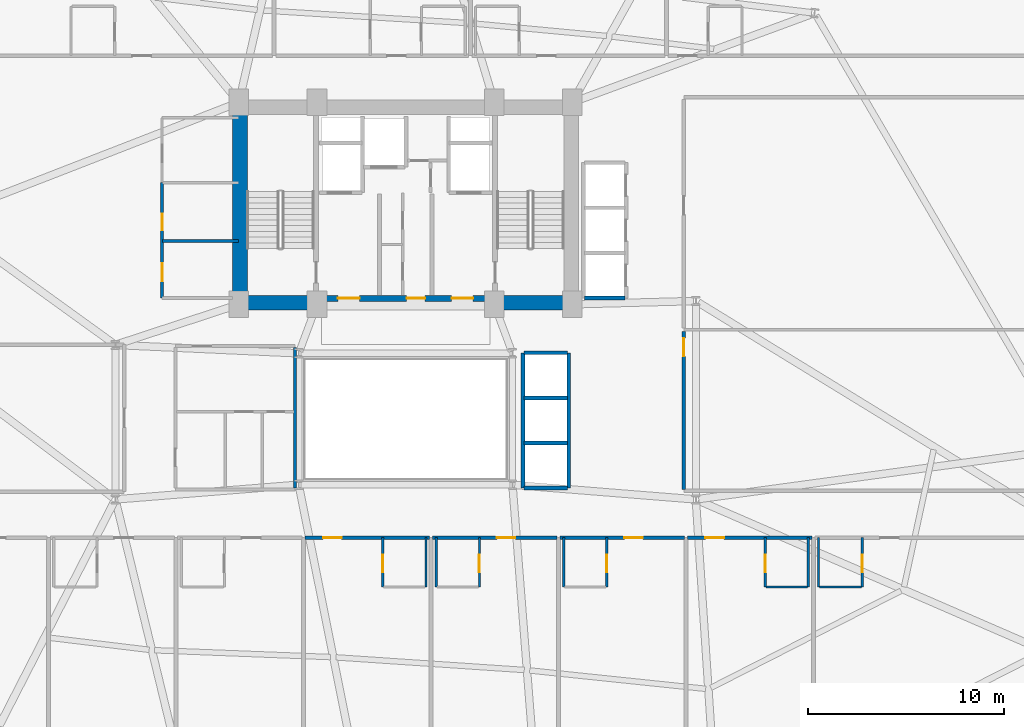
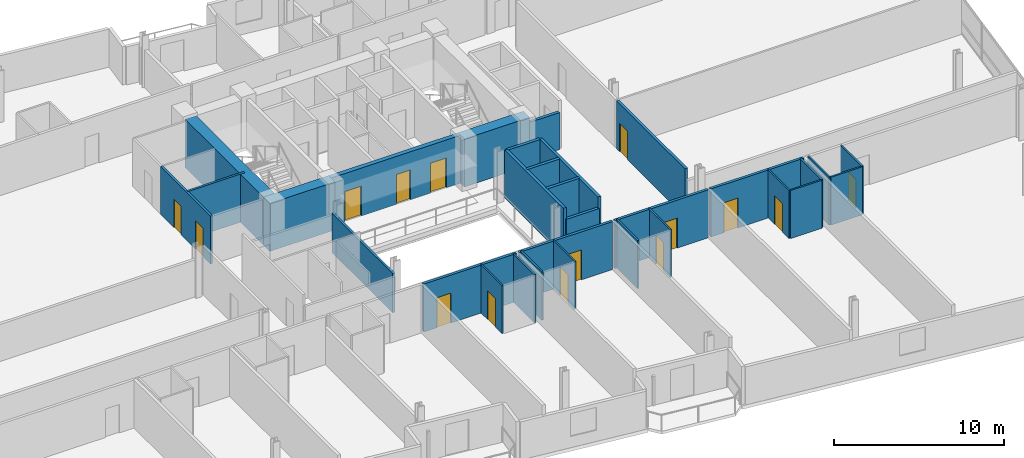
# One storey, part 21 of 26: 31 walls, 15 doors, 15 openings.
"""IFC4 building model written with IfcOpenShell, lengths in metres."""

from ifc_helpers import new_model, si_unit, direction, frame, frame_2d, origin, place, context, subcontext, project, spatial, rectangle, extrude, material, layer, layer_set, type_object, element, fill, save


model = new_model("IFC4")

# Units and contexts
model_context = context("Model", 3, precision=1e-05, world=origin(), true_north=direction((0.0, 1.0)))
body_context = subcontext(model_context, "Body", "Model", "MODEL_VIEW")
ifc_project = project(units=[si_unit("LENGTHUNIT", "METRE"), si_unit("AREAUNIT", "SQUARE_METRE"), si_unit("VOLUMEUNIT", "CUBIC_METRE"), si_unit("PLANEANGLEUNIT", "RADIAN"), si_unit("MASSUNIT", "GRAM", prefix="KILO")], contexts=[model_context])

# Site, building, storey
site_placement = place(None, origin())
site = spatial("IfcSite", under=ifc_project, at=site_placement, CompositionType="ELEMENT")
building_placement = place(site_placement, origin())
building = spatial("IfcBuilding", under=site, at=building_placement, Name="Varnelok Gate Tower", CompositionType="ELEMENT")
storey_placement = place(building_placement, frame((0.0, 0.0, 129.10009765625)))
storey = spatial("IfcBuildingStorey", under=building, at=storey_placement, Name="L32", CompositionType="ELEMENT", Elevation=129.10009765625)

# Wall, opening, door
ifc_material_1 = material(Name="Gypsum Plasterboard Acoustic Partition", Category="gypsum")
ifc_layer_1 = layer(ifc_material_1, 0.179931640625)
ifc_layer_set_1 = layer_set([ifc_layer_1], Name="Gypsum Plasterboard Acoustic Partition")
wall_type_1 = type_object("IfcWallType", Name="PW-CORR-180", PredefinedType="PARTITIONING", material=ifc_layer_set_1)
wall_1_placement = place(storey_placement, frame((34.080078125, 16.85009765625, 0.0), z_axis=(0.0, 0.0, 1.0), x_axis=(1.0, 0.0, 0.0)))
wall_1 = element("IfcWall", 1, at=wall_1_placement, inside=storey, type_object=wall_type_1, Name="Interior Partition", PredefinedType="PARTITIONING", context=body_context, shape_type="SweptSolid", body=[
    extrude(rectangle(XDim=6.33984375, YDim=0.179931640625, at=frame_2d((3.169921875, 0.0))), origin(), (0.0, 0.0, 1.0), 3.449951171875),
])
opening_1_placement = place(wall_1_placement, frame((0.90966796875, 0.0, 0.0)))
opening_1 = element("IfcOpeningElement", 2, at=opening_1_placement, cuts=wall_1, Name="Opening D-HT", PredefinedType="OPENING", context=body_context, shape_type="SweptSolid", body=[
    extrude(rectangle(XDim=0.949951171875, YDim=2.14990234375, at=frame_2d((0.47509765625, 1.074951171875))), frame((0.0, 0.099853515625, 0.0), z_axis=(0.0, -1.0, 0.0), x_axis=(1.0, 0.0, 0.0)), (0.0, 0.0, 1.0), 0.199951171875),
])
ifc_material_2 = material(Name="Engineered Hardwood Timber", Category="wood")
door_type_1 = type_object("IfcDoorType", Name="DR-HTL-950", OperationType="NOTDEFINED", PredefinedType="DOOR", material=ifc_material_2)
door_1_placement = place(opening_1_placement, origin())
door_1 = element("IfcDoor", 3, at=door_1_placement, inside=storey, type_object=door_type_1, Name="L32 Guest Room 05 Entrance Door", OperationType="SINGLE_SWING_RIGHT", OverallHeight=2.14990234375, OverallWidth=0.949951171875, PredefinedType="DOOR", context=body_context, shape_type="SweptSolid", body=[
    extrude(rectangle(XDim=0.949951171875, YDim=2.14990234375, at=frame_2d((0.47509765625, 1.074951171875))), frame((0.0, 0.02490234375, 0.0), z_axis=(0.0, -1.0, 0.0), x_axis=(1.0, 0.0, 0.0)), (0.0, 0.0, 1.0), 0.050048828125),
])
fill(opening_1, door_1)

wall_2_placement = place(storey_placement, frame((40.580078125, 16.85009765625, 0.0), z_axis=(0.0, 0.0, 1.0), x_axis=(1.0, 0.0, 0.0)))
wall_2 = element("IfcWall", 4, at=wall_2_placement, inside=storey, type_object=wall_type_1, Name="Interior Partition", PredefinedType="PARTITIONING", context=body_context, shape_type="SweptSolid", body=[
    extrude(rectangle(XDim=6.33984375, YDim=0.179931640625, at=frame_2d((3.169921875, 0.0))), origin(), (0.0, 0.0, 1.0), 3.449951171875),
])
opening_2_placement = place(wall_2_placement, frame((3.273681640625, 0.0, 0.0)))
opening_2 = element("IfcOpeningElement", 5, at=opening_2_placement, cuts=wall_2, Name="Opening D-HT", PredefinedType="OPENING", context=body_context, shape_type="SweptSolid", body=[
    extrude(rectangle(XDim=0.949951171875, YDim=2.14990234375, at=frame_2d((0.47509765625, 1.074951171875))), frame((0.0, 0.099853515625, 0.0), z_axis=(0.0, -1.0, 0.0), x_axis=(1.0, 0.0, 0.0)), (0.0, 0.0, 1.0), 0.199951171875),
])
door_2_placement = place(opening_2_placement, origin())
door_2 = element("IfcDoor", 6, at=door_2_placement, inside=storey, type_object=door_type_1, Name="L32 Guest Room 06 Entrance Door", OperationType="SINGLE_SWING_LEFT", OverallHeight=2.14990234375, OverallWidth=0.949951171875, PredefinedType="DOOR", context=body_context, shape_type="SweptSolid", body=[
    extrude(rectangle(XDim=0.949951171875, YDim=2.14990234375, at=frame_2d((0.47509765625, 1.074951171875))), frame((0.0, 0.02490234375, 0.0), z_axis=(0.0, -1.0, 0.0), x_axis=(1.0, 0.0, 0.0)), (0.0, 0.0, 1.0), 0.050048828125),
])
fill(opening_2, door_2)

wall_3_placement = place(storey_placement, frame((47.080078125, 16.85009765625, 0.0), z_axis=(0.0, 0.0, 1.0), x_axis=(1.0, 0.0, 0.0)))
wall_3 = element("IfcWall", 7, at=wall_3_placement, inside=storey, type_object=wall_type_1, Name="Interior Partition", PredefinedType="PARTITIONING", context=body_context, shape_type="SweptSolid", body=[
    extrude(rectangle(XDim=6.33984375, YDim=0.179931640625, at=frame_2d((3.169921875, 0.0))), origin(), (0.0, 0.0, 1.0), 3.449951171875),
])
opening_3_placement = place(wall_3_placement, frame((3.273681640625, 0.0, 0.0)))
opening_3 = element("IfcOpeningElement", 8, at=opening_3_placement, cuts=wall_3, Name="Opening D-HT", PredefinedType="OPENING", context=body_context, shape_type="SweptSolid", body=[
    extrude(rectangle(XDim=0.949951171875, YDim=2.14990234375, at=frame_2d((0.47509765625, 1.074951171875))), frame((0.0, 0.099853515625, 0.0), z_axis=(0.0, -1.0, 0.0), x_axis=(1.0, 0.0, 0.0)), (0.0, 0.0, 1.0), 0.199951171875),
])
door_3_placement = place(opening_3_placement, origin())
door_3 = element("IfcDoor", 9, at=door_3_placement, inside=storey, type_object=door_type_1, Name="L32 Guest Room 07 Entrance Door", OperationType="SINGLE_SWING_RIGHT", OverallHeight=2.14990234375, OverallWidth=0.949951171875, PredefinedType="DOOR", context=body_context, shape_type="SweptSolid", body=[
    extrude(rectangle(XDim=0.949951171875, YDim=2.14990234375, at=frame_2d((0.47509765625, 1.074951171875))), frame((0.0, 0.02490234375, 0.0), z_axis=(0.0, -1.0, 0.0), x_axis=(1.0, 0.0, 0.0)), (0.0, 0.0, 1.0), 0.050048828125),
])
fill(opening_3, door_3)

wall_4_placement = place(storey_placement, frame((53.580078125, 16.85009765625, 0.0), z_axis=(0.0, 0.0, 1.0), x_axis=(1.0, 0.0, 0.0)))
wall_4 = element("IfcWall", 10, at=wall_4_placement, inside=storey, type_object=wall_type_1, Name="Interior Partition", PredefinedType="PARTITIONING", context=body_context, shape_type="SweptSolid", body=[
    extrude(rectangle(XDim=6.33984375, YDim=0.179931640625, at=frame_2d((3.169921875, 0.0))), origin(), (0.0, 0.0, 1.0), 3.449951171875),
])
opening_4_placement = place(wall_4_placement, frame((0.90966796875, 0.0, 0.0)))
opening_4 = element("IfcOpeningElement", 11, at=opening_4_placement, cuts=wall_4, Name="Opening D-HT", PredefinedType="OPENING", context=body_context, shape_type="SweptSolid", body=[
    extrude(rectangle(XDim=0.949951171875, YDim=2.14990234375, at=frame_2d((0.47509765625, 1.074951171875))), frame((0.0, 0.099853515625, 0.0), z_axis=(0.0, -1.0, 0.0), x_axis=(1.0, 0.0, 0.0)), (0.0, 0.0, 1.0), 0.199951171875),
])
door_4_placement = place(opening_4_placement, origin())
door_4 = element("IfcDoor", 12, at=door_4_placement, inside=storey, type_object=door_type_1, Name="L32 Guest Room 08 Entrance Door", OperationType="SINGLE_SWING_LEFT", OverallHeight=2.14990234375, OverallWidth=0.949951171875, PredefinedType="DOOR", context=body_context, shape_type="SweptSolid", body=[
    extrude(rectangle(XDim=0.949951171875, YDim=2.14990234375, at=frame_2d((0.47509765625, 1.074951171875))), frame((0.0, 0.02490234375, 0.0), z_axis=(0.0, -1.0, 0.0), x_axis=(1.0, 0.0, 0.0)), (0.0, 0.0, 1.0), 0.050048828125),
])
fill(opening_4, door_4)

wall_5_placement = place(storey_placement, frame((53.389892578125, 19.300048828125, 0.0), z_axis=(0.0, 0.0, 1.0), x_axis=(0.0, 1.0, 0.0)))
wall_5 = element("IfcWall", 13, at=wall_5_placement, inside=storey, type_object=wall_type_1, Name="Interior Partition", PredefinedType="PARTITIONING", context=body_context, shape_type="SweptSolid", body=[
    extrude(rectangle(XDim=8.070068359375, YDim=0.179931640625, at=frame_2d((4.03515625, 0.0))), origin(), (0.0, 0.0, 1.0), 3.449951171875),
])
opening_5_placement = place(wall_5_placement, frame((6.800048828125, 0.0, 0.0)))
opening_5 = element("IfcOpeningElement", 14, at=opening_5_placement, cuts=wall_5, Name="Opening D-I3", PredefinedType="OPENING", context=body_context, shape_type="SweptSolid", body=[
    extrude(rectangle(XDim=0.919921875, YDim=2.050048828125, at=frame_2d((0.4599609375, 1.02490234375))), frame((0.0, 0.099853515625, 0.0), z_axis=(0.0, -1.0, 0.0), x_axis=(1.0, 0.0, 0.0)), (0.0, 0.0, 1.0), 0.199951171875),
])
door_type_2 = type_object("IfcDoorType", Name="DR-INT-920", OperationType="NOTDEFINED", PredefinedType="DOOR", material=ifc_material_2)
door_5_placement = place(opening_5_placement, origin())
door_5 = element("IfcDoor", 15, at=door_5_placement, inside=storey, type_object=door_type_2, Name="L32 East Suite 1 Door", OperationType="SINGLE_SWING_LEFT", OverallHeight=2.050048828125, OverallWidth=0.919921875, PredefinedType="DOOR", context=body_context, shape_type="SweptSolid", body=[
    extrude(rectangle(XDim=0.919921875, YDim=2.050048828125, at=frame_2d((0.4599609375, 1.02490234375))), frame((0.0, 0.02490234375, 0.0), z_axis=(0.0, -1.0, 0.0), x_axis=(1.0, 0.0, 0.0)), (0.0, 0.0, 1.0), 0.050048828125),
])
fill(opening_5, door_5)

ifc_layer_2 = layer(ifc_material_1, 0.114990234375)
ifc_layer_set_2 = layer_set([ifc_layer_2], Name="Gypsum Plasterboard Acoustic Partition")
wall_type_2 = type_object("IfcWallType", Name="PW-ENS-125", PredefinedType="PARTITIONING", material=ifc_layer_set_2)
wall_6_placement = place(storey_placement, frame((38.035888671875, 14.330078125, 0.0), z_axis=(0.0, 0.0, 1.0), x_axis=(0.0, 1.0, 0.0)))
wall_6 = element("IfcWall", 16, at=wall_6_placement, inside=storey, type_object=wall_type_2, Name="Interior Partition", PredefinedType="PARTITIONING", context=body_context, shape_type="SweptSolid", body=[
    extrude(rectangle(XDim=2.52001953125, YDim=0.114990234375, at=frame_2d((1.260009765625, 0.0))), origin(), (0.0, 0.0, 1.0), 3.449951171875),
])
opening_6_placement = place(wall_6_placement, frame((0.760009765625, 0.0, 0.0)))
opening_6 = element("IfcOpeningElement", 17, at=opening_6_placement, cuts=wall_6, Name="Opening D-WC", PredefinedType="OPENING", context=body_context, shape_type="SweptSolid", body=[
    extrude(rectangle(XDim=0.89990234375, YDim=2.050048828125, at=frame_2d((0.449951171875, 1.02490234375))), frame((0.0, 0.0673828125, 0.0), z_axis=(0.0, -1.0, 0.0), x_axis=(1.0, 0.0, 0.0)), (0.0, 0.0, 1.0), 0.135009765625),
])
door_type_3 = type_object("IfcDoorType", Name="DR-BATH-900", OperationType="NOTDEFINED", PredefinedType="DOOR", material=ifc_material_2)
door_6_placement = place(opening_6_placement, origin())
door_6 = element("IfcDoor", 18, at=door_6_placement, inside=storey, type_object=door_type_3, Name="L32 Guest En-Suite 05 Door", OperationType="SINGLE_SWING_RIGHT", OverallHeight=2.050048828125, OverallWidth=0.89990234375, PredefinedType="DOOR", context=body_context, shape_type="SweptSolid", body=[
    extrude(rectangle(XDim=0.89990234375, YDim=2.050048828125, at=frame_2d((0.449951171875, 1.02490234375))), frame((0.0, 0.02490234375, 0.0), z_axis=(0.0, -1.0, 0.0), x_axis=(1.0, 0.0, 0.0)), (0.0, 0.0, 1.0), 0.050048828125),
])
fill(opening_6, door_6)

# Wall
wall_7_placement = place(storey_placement, frame((40.239990234375, 14.330078125, 0.0), z_axis=(0.0, 0.0, 1.0), x_axis=(0.0, 1.0, 0.0)))
element("IfcWall", 19, at=wall_7_placement, inside=storey, type_object=wall_type_2, Name="Interior Partition", PredefinedType="PARTITIONING", context=body_context, shape_type="SweptSolid", body=[
    extrude(rectangle(XDim=2.52001953125, YDim=0.114990234375, at=frame_2d((1.260009765625, 0.0))), origin(), (0.0, 0.0, 1.0), 3.449951171875),
])

# Wall, opening, door
wall_8_placement = place(storey_placement, frame((42.964111328125, 14.330078125, 0.0), z_axis=(0.0, 0.0, 1.0), x_axis=(0.0, 1.0, 0.0)))
wall_8 = element("IfcWall", 20, at=wall_8_placement, inside=storey, type_object=wall_type_2, Name="Interior Partition", PredefinedType="PARTITIONING", context=body_context, shape_type="SweptSolid", body=[
    extrude(rectangle(XDim=2.52001953125, YDim=0.114990234375, at=frame_2d((1.260009765625, 0.0))), origin(), (0.0, 0.0, 1.0), 3.449951171875),
])
opening_7_placement = place(wall_8_placement, frame((0.760009765625, 0.0, 0.0)))
opening_7 = element("IfcOpeningElement", 21, at=opening_7_placement, cuts=wall_8, Name="Opening D-WC", PredefinedType="OPENING", context=body_context, shape_type="SweptSolid", body=[
    extrude(rectangle(XDim=0.89990234375, YDim=2.050048828125, at=frame_2d((0.449951171875, 1.02490234375))), frame((0.0, 0.0673828125, 0.0), z_axis=(0.0, -1.0, 0.0), x_axis=(1.0, 0.0, 0.0)), (0.0, 0.0, 1.0), 0.135009765625),
])
door_7_placement = place(opening_7_placement, origin())
door_7 = element("IfcDoor", 22, at=door_7_placement, inside=storey, type_object=door_type_3, Name="L32 Guest En-Suite 06 Door", OperationType="SINGLE_SWING_LEFT", OverallHeight=2.050048828125, OverallWidth=0.89990234375, PredefinedType="DOOR", context=body_context, shape_type="SweptSolid", body=[
    extrude(rectangle(XDim=0.89990234375, YDim=2.050048828125, at=frame_2d((0.449951171875, 1.02490234375))), frame((0.0, 0.02490234375, 0.0), z_axis=(0.0, -1.0, 0.0), x_axis=(1.0, 0.0, 0.0)), (0.0, 0.0, 1.0), 0.050048828125),
])
fill(opening_7, door_7)

# Wall
wall_9_placement = place(storey_placement, frame((40.760009765625, 14.330078125, 0.0), z_axis=(0.0, 0.0, 1.0), x_axis=(0.0, 1.0, 0.0)))
element("IfcWall", 23, at=wall_9_placement, inside=storey, type_object=wall_type_2, Name="Interior Partition", PredefinedType="PARTITIONING", context=body_context, shape_type="SweptSolid", body=[
    extrude(rectangle(XDim=2.52001953125, YDim=0.114990234375, at=frame_2d((1.260009765625, 0.0))), origin(), (0.0, 0.0, 1.0), 3.449951171875),
])

# Wall, opening, door
wall_10_placement = place(storey_placement, frame((49.464111328125, 14.330078125, 0.0), z_axis=(0.0, 0.0, 1.0), x_axis=(0.0, 1.0, 0.0)))
wall_10 = element("IfcWall", 24, at=wall_10_placement, inside=storey, type_object=wall_type_2, Name="Interior Partition", PredefinedType="PARTITIONING", context=body_context, shape_type="SweptSolid", body=[
    extrude(rectangle(XDim=2.52001953125, YDim=0.114990234375, at=frame_2d((1.260009765625, 0.0))), origin(), (0.0, 0.0, 1.0), 3.449951171875),
])
opening_8_placement = place(wall_10_placement, frame((0.760009765625, 0.0, 0.0)))
opening_8 = element("IfcOpeningElement", 25, at=opening_8_placement, cuts=wall_10, Name="Opening D-WC", PredefinedType="OPENING", context=body_context, shape_type="SweptSolid", body=[
    extrude(rectangle(XDim=0.89990234375, YDim=2.050048828125, at=frame_2d((0.449951171875, 1.02490234375))), frame((0.0, 0.0673828125, 0.0), z_axis=(0.0, -1.0, 0.0), x_axis=(1.0, 0.0, 0.0)), (0.0, 0.0, 1.0), 0.135009765625),
])
door_8_placement = place(opening_8_placement, origin())
door_8 = element("IfcDoor", 26, at=door_8_placement, inside=storey, type_object=door_type_3, Name="L32 Guest En-Suite 07 Door", OperationType="SINGLE_SWING_LEFT", OverallHeight=2.050048828125, OverallWidth=0.89990234375, PredefinedType="DOOR", context=body_context, shape_type="SweptSolid", body=[
    extrude(rectangle(XDim=0.89990234375, YDim=2.050048828125, at=frame_2d((0.449951171875, 1.02490234375))), frame((0.0, 0.02490234375, 0.0), z_axis=(0.0, -1.0, 0.0), x_axis=(1.0, 0.0, 0.0)), (0.0, 0.0, 1.0), 0.050048828125),
])
fill(opening_8, door_8)

# Walls
wall_11_placement = place(storey_placement, frame((47.260009765625, 14.330078125, 0.0), z_axis=(0.0, 0.0, 1.0), x_axis=(0.0, 1.0, 0.0)))
element("IfcWall", 27, at=wall_11_placement, inside=storey, type_object=wall_type_2, Name="Interior Partition", PredefinedType="PARTITIONING", context=body_context, shape_type="SweptSolid", body=[
    extrude(rectangle(XDim=2.52001953125, YDim=0.114990234375, at=frame_2d((1.260009765625, 0.0))), origin(), (0.0, 0.0, 1.0), 3.449951171875),
])
wall_12_placement = place(storey_placement, frame((57.575927734375, 14.330078125, 0.0), z_axis=(0.0, 0.0, 1.0), x_axis=(1.0, 0.0, 0.0)))
element("IfcWall", 28, at=wall_12_placement, inside=storey, type_object=wall_type_2, Name="Interior Partition", PredefinedType="PARTITIONING", context=body_context, shape_type="SweptSolid", body=[
    extrude(rectangle(XDim=2.1240234375, YDim=0.114990234375, at=frame_2d((1.06201171875, 0.0))), origin(), (0.0, 0.0, 1.0), 3.449951171875),
])

# Wall, opening, door
wall_13_placement = place(storey_placement, frame((57.535888671875, 14.330078125, 0.0), z_axis=(0.0, 0.0, 1.0), x_axis=(0.0, 1.0, 0.0)))
wall_13 = element("IfcWall", 29, at=wall_13_placement, inside=storey, type_object=wall_type_2, Name="Interior Partition", PredefinedType="PARTITIONING", context=body_context, shape_type="SweptSolid", body=[
    extrude(rectangle(XDim=2.52001953125, YDim=0.114990234375, at=frame_2d((1.260009765625, 0.0))), origin(), (0.0, 0.0, 1.0), 3.449951171875),
])
opening_9_placement = place(wall_13_placement, frame((0.760009765625, 0.0, 0.0)))
opening_9 = element("IfcOpeningElement", 30, at=opening_9_placement, cuts=wall_13, Name="Opening D-WC", PredefinedType="OPENING", context=body_context, shape_type="SweptSolid", body=[
    extrude(rectangle(XDim=0.89990234375, YDim=2.050048828125, at=frame_2d((0.449951171875, 1.02490234375))), frame((0.0, 0.0673828125, 0.0), z_axis=(0.0, -1.0, 0.0), x_axis=(1.0, 0.0, 0.0)), (0.0, 0.0, 1.0), 0.135009765625),
])
door_9_placement = place(opening_9_placement, origin())
door_9 = element("IfcDoor", 31, at=door_9_placement, inside=storey, type_object=door_type_3, Name="L32 Guest En-Suite 08 Door", OperationType="SINGLE_SWING_RIGHT", OverallHeight=2.050048828125, OverallWidth=0.89990234375, PredefinedType="DOOR", context=body_context, shape_type="SweptSolid", body=[
    extrude(rectangle(XDim=0.89990234375, YDim=2.050048828125, at=frame_2d((0.449951171875, 1.02490234375))), frame((0.0, 0.02490234375, 0.0), z_axis=(0.0, -1.0, 0.0), x_axis=(1.0, 0.0, 0.0)), (0.0, 0.0, 1.0), 0.050048828125),
])
fill(opening_9, door_9)

# Walls
wall_14_placement = place(storey_placement, frame((59.739990234375, 14.330078125, 0.0), z_axis=(0.0, 0.0, 1.0), x_axis=(0.0, 1.0, 0.0)))
element("IfcWall", 32, at=wall_14_placement, inside=storey, type_object=wall_type_2, Name="Interior Partition", PredefinedType="PARTITIONING", context=body_context, shape_type="SweptSolid", body=[
    extrude(rectangle(XDim=2.52001953125, YDim=0.114990234375, at=frame_2d((1.260009765625, 0.0))), origin(), (0.0, 0.0, 1.0), 3.449951171875),
])
wall_15_placement = place(storey_placement, frame((60.300048828125, 14.330078125, 0.0), z_axis=(0.0, 0.0, 1.0), x_axis=(1.0, 0.0, 0.0)))
element("IfcWall", 33, at=wall_15_placement, inside=storey, type_object=wall_type_2, Name="Interior Partition", PredefinedType="PARTITIONING", context=body_context, shape_type="SweptSolid", body=[
    extrude(rectangle(XDim=2.14990234375, YDim=0.114990234375, at=frame_2d((1.074951171875, 0.0))), origin(), (0.0, 0.0, 1.0), 3.449951171875),
])

# Wall, opening, door
wall_16_placement = place(storey_placement, frame((62.489990234375, 14.330078125, 0.0), z_axis=(0.0, 0.0, 1.0), x_axis=(0.0, 1.0, 0.0)))
wall_16 = element("IfcWall", 34, at=wall_16_placement, inside=storey, type_object=wall_type_2, Name="Interior Partition", PredefinedType="PARTITIONING", context=body_context, shape_type="SweptSolid", body=[
    extrude(rectangle(XDim=2.52001953125, YDim=0.114990234375, at=frame_2d((1.260009765625, 0.0))), origin(), (0.0, 0.0, 1.0), 3.449951171875),
])
opening_10_placement = place(wall_16_placement, frame((0.760009765625, 0.0, 0.0)))
opening_10 = element("IfcOpeningElement", 35, at=opening_10_placement, cuts=wall_16, Name="Opening D-WC", PredefinedType="OPENING", context=body_context, shape_type="SweptSolid", body=[
    extrude(rectangle(XDim=0.89990234375, YDim=2.050048828125, at=frame_2d((0.449951171875, 1.02490234375))), frame((0.0, 0.0673828125, 0.0), z_axis=(0.0, -1.0, 0.0), x_axis=(1.0, 0.0, 0.0)), (0.0, 0.0, 1.0), 0.135009765625),
])
door_10_placement = place(opening_10_placement, origin())
door_10 = element("IfcDoor", 36, at=door_10_placement, inside=storey, type_object=door_type_3, Name="L32 Guest En-Suite 09 Door", OperationType="SINGLE_SWING_LEFT", OverallHeight=2.050048828125, OverallWidth=0.89990234375, PredefinedType="DOOR", context=body_context, shape_type="SweptSolid", body=[
    extrude(rectangle(XDim=0.89990234375, YDim=2.050048828125, at=frame_2d((0.449951171875, 1.02490234375))), frame((0.0, 0.02490234375, 0.0), z_axis=(0.0, -1.0, 0.0), x_axis=(1.0, 0.0, 0.0)), (0.0, 0.0, 1.0), 0.050048828125),
])
fill(opening_10, door_10)

# Walls
wall_17_placement = place(storey_placement, frame((60.260009765625, 14.330078125, 0.0), z_axis=(0.0, 0.0, 1.0), x_axis=(0.0, 1.0, 0.0)))
element("IfcWall", 37, at=wall_17_placement, inside=storey, type_object=wall_type_2, Name="Interior Partition", PredefinedType="PARTITIONING", context=body_context, shape_type="SweptSolid", body=[
    extrude(rectangle(XDim=2.52001953125, YDim=0.114990234375, at=frame_2d((1.260009765625, 0.0))), origin(), (0.0, 0.0, 1.0), 3.449951171875),
])
ifc_layer_3 = layer(ifc_material_1, 0.14990234375)
ifc_layer_set_3 = layer_set([ifc_layer_3], Name="Gypsum Plasterboard Acoustic Partition")
wall_type_3 = type_object("IfcWallType", Name="PW-PART-150", PredefinedType="PARTITIONING", material=ifc_layer_set_3)
wall_18_placement = place(storey_placement, frame((33.56005859375, 19.3798828125, 0.0), z_axis=(0.0, 0.0, 1.0), x_axis=(0.0, 1.0, 0.0)))
element("IfcWall", 38, at=wall_18_placement, inside=storey, type_object=wall_type_3, Name="Interior Partition", PredefinedType="PARTITIONING", context=body_context, shape_type="SweptSolid", body=[
    extrude(rectangle(XDim=7.16015625, YDim=0.14990234375, at=frame_2d((3.580078125, 0.0))), origin(), (0.0, 0.0, 1.0), 2.823974609375),
])
wall_19_placement = place(storey_placement, frame((26.800048828125, 31.989990234375, 0.0), z_axis=(0.0, 0.0, 1.0), x_axis=(1.0, 0.0, 0.0)))
element("IfcWall", 39, at=wall_19_placement, inside=storey, type_object=wall_type_3, Name="Interior Partition", PredefinedType="PARTITIONING", context=body_context, shape_type="SweptSolid", body=[
    extrude(rectangle(XDim=3.8798828125, YDim=0.14990234375, at=frame_2d((1.93994140625, 0.0))), origin(), (0.0, 0.0, 1.0), 3.449951171875),
])

# Wall, openings, doors
wall_20_placement = place(storey_placement, frame((26.780029296875, 29.080078125, 0.0), z_axis=(0.0, 0.0, 1.0), x_axis=(0.0, 1.0, 0.0)))
wall_20 = element("IfcWall", 40, at=wall_20_placement, inside=storey, type_object=wall_type_3, Name="Interior Partition", PredefinedType="PARTITIONING", context=body_context, shape_type="SweptSolid", body=[
    extrude(rectangle(XDim=5.869873046875, YDim=0.14990234375, at=frame_2d((2.93505859375, 0.0))), origin(), (0.0, 0.0, 1.0), 3.449951171875),
])
opening_11_placement = place(wall_20_placement, frame((0.85009765625, 0.0, 0.0)))
opening_11 = element("IfcOpeningElement", 41, at=opening_11_placement, cuts=wall_20, Name="Opening D-I3", PredefinedType="OPENING", context=body_context, shape_type="SweptSolid", body=[
    extrude(rectangle(XDim=0.919921875, YDim=2.050048828125, at=frame_2d((0.4599609375, 1.02490234375))), frame((0.0, 0.0849609375, 0.0), z_axis=(0.0, -1.0, 0.0), x_axis=(1.0, 0.0, 0.0)), (0.0, 0.0, 1.0), 0.169921875),
])
opening_12_placement = place(wall_20_placement, frame((3.449951171875, 0.0, 0.0)))
opening_12 = element("IfcOpeningElement", 42, at=opening_12_placement, cuts=wall_20, Name="Opening D-RS", PredefinedType="OPENING", context=body_context, shape_type="SweptSolid", body=[
    extrude(rectangle(XDim=0.85009765625, YDim=2.050048828125, at=frame_2d((0.425048828125, 1.02490234375))), frame((0.0, 0.0849609375, 0.0), z_axis=(0.0, -1.0, 0.0), x_axis=(1.0, 0.0, 0.0)), (0.0, 0.0, 1.0), 0.169921875),
])
door_11_placement = place(opening_11_placement, origin())
door_11 = element("IfcDoor", 43, at=door_11_placement, inside=storey, type_object=door_type_2, Name="L32 Core Linen Door", OperationType="SINGLE_SWING_LEFT", OverallHeight=2.050048828125, OverallWidth=0.919921875, PredefinedType="DOOR", context=body_context, shape_type="SweptSolid", body=[
    extrude(rectangle(XDim=0.919921875, YDim=2.050048828125, at=frame_2d((0.4599609375, 1.02490234375))), frame((0.0, 0.02490234375, 0.0), z_axis=(0.0, -1.0, 0.0), x_axis=(1.0, 0.0, 0.0)), (0.0, 0.0, 1.0), 0.050048828125),
])
fill(opening_11, door_11)
ifc_material_3 = material(Name="Galvanized Steel Grade S350GD", Category="steel")
door_type_4 = type_object("IfcDoorType", Name="DR-RISER-850", OperationType="NOTDEFINED", PredefinedType="DOOR", material=ifc_material_3)
door_12_placement = place(opening_12_placement, origin())
door_12 = element("IfcDoor", 44, at=door_12_placement, inside=storey, type_object=door_type_4, Name="L32 Core Janitor Door", OperationType="SINGLE_SWING_RIGHT", OverallHeight=2.050048828125, OverallWidth=0.85009765625, PredefinedType="DOOR", context=body_context, shape_type="SweptSolid", body=[
    extrude(rectangle(XDim=0.85009765625, YDim=2.050048828125, at=frame_2d((0.425048828125, 1.02490234375))), frame((0.0, 0.02490234375, 0.0), z_axis=(0.0, -1.0, 0.0), x_axis=(1.0, 0.0, 0.0)), (0.0, 0.0, 1.0), 0.050048828125),
])
fill(opening_12, door_12)

# Walls
ifc_material_4 = material(Name="Concrete C35/45", Category="concrete")
ifc_layer_4 = layer(ifc_material_4, 0.199951171875)
ifc_layer_set_4 = layer_set([ifc_layer_4], Name="Concrete C35/45")
wall_type_4 = type_object("IfcWallType", Name="PW-SHAFT-200", PredefinedType="PARTITIONING", material=ifc_layer_set_4)
wall_21_placement = place(storey_placement, frame((48.320068359375, 29.080078125, 0.0), z_axis=(0.0, 0.0, 1.0), x_axis=(1.0, 0.0, 0.0)))
element("IfcWall", 45, at=wall_21_placement, inside=storey, type_object=wall_type_4, Name="L32 PM Bank South Wall", PredefinedType="PARTITIONING", context=body_context, shape_type="SweptSolid", body=[
    extrude(rectangle(XDim=2.059814453125, YDim=0.199951171875, at=frame_2d((1.02978515625, 0.0))), origin(), (0.0, 0.0, 1.0), 2.661865234375),
])
for number, where, z_axis, x_axis, name in (
    (46, (45.239990234375, 21.675048828125, 0.0), (0.0, 0.0, 1.0), (1.0, 0.0, 0.0), "L32 PH1 Divider"),
    (47, (45.239990234375, 23.97509765625, 0.0), (0.0, 0.0, 1.0), (1.0, 0.0, 0.0), "L32 PH2 Divider"),
):
    element("IfcWall", number, at=place(storey_placement, frame(where, z_axis=z_axis, x_axis=x_axis)), inside=storey, type_object=wall_type_4, Name=name, PredefinedType="PARTITIONING", context=body_context, shape_type="SweptSolid", body=[
        extrude(rectangle(XDim=2.219970703125, YDim=0.199951171875, at=frame_2d((1.10986328125, 0.0))), origin(), (0.0, 0.0, 1.0), 3.449951171875),
    ])
wall_22_placement = place(storey_placement, frame((45.239990234375, 19.3798828125, 0.0), z_axis=(0.0, 0.0, 1.0), x_axis=(1.0, 0.0, 0.0)))
element("IfcWall", 48, at=wall_22_placement, inside=storey, type_object=wall_type_4, Name="L32 PH Bank South Wall", PredefinedType="PARTITIONING", context=body_context, shape_type="SweptSolid", body=[
    extrude(rectangle(XDim=2.219970703125, YDim=0.199951171875, at=frame_2d((1.10986328125, 0.0))), origin(), (0.0, 0.0, 1.0), 2.661865234375),
])
wall_23_placement = place(storey_placement, frame((45.239990234375, 26.280029296875, 0.0), z_axis=(0.0, 0.0, 1.0), x_axis=(1.0, 0.0, 0.0)))
element("IfcWall", 49, at=wall_23_placement, inside=storey, type_object=wall_type_4, Name="L32 PH Bank North Wall", PredefinedType="PARTITIONING", context=body_context, shape_type="SweptSolid", body=[
    extrude(rectangle(XDim=2.219970703125, YDim=0.199951171875, at=frame_2d((1.10986328125, 0.0))), origin(), (0.0, 0.0, 1.0), 3.449951171875),
])
for number, where, z_axis, x_axis, name in (
    (50, (45.179931640625, 19.3798828125, 0.0), (0.0, 0.0, 1.0), (0.0, 1.0, 0.0), "L32 PH Bank Atrium Wall"),
    (51, (47.52001953125, 19.3798828125, 0.0), (0.0, 0.0, 1.0), (0.0, 1.0, 0.0), "L32 PH Bank Front Wall"),
):
    element("IfcWall", number, at=place(storey_placement, frame(where, z_axis=z_axis, x_axis=x_axis)), inside=storey, type_object=wall_type_4, Name=name, PredefinedType="PARTITIONING", context=body_context, shape_type="SweptSolid", body=[
        extrude(rectangle(XDim=6.900146484375, YDim=0.199951171875, at=frame_2d((3.4501953125, 0.0))), origin(), (0.0, 0.0, 1.0), 3.449951171875),
    ])
ifc_material_5 = material(Name="Concrete C70/85", Category="concrete")
ifc_layer_5 = layer(ifc_material_5, 0.75)
ifc_layer_set_5 = layer_set([ifc_layer_5], Name="Concrete C70/85")
wall_type_5 = type_object("IfcWallType", Name="SW-CORE-750", PredefinedType="SHEAR", material=ifc_layer_set_5)
wall_24_placement = place(storey_placement, frame((30.7548828125, 29.199951171875, 0.0), z_axis=(0.0, 0.0, 1.0), x_axis=(0.0, 1.0, 0.0)))
element("IfcWall", 52, at=wall_24_placement, inside=storey, type_object=wall_type_5, Name="L32 Rear Core West Shear Wall", PredefinedType="SHEAR", context=body_context, shape_type="SweptSolid", body=[
    extrude(rectangle(XDim=9.219970703125, YDim=0.75, at=frame_2d((4.60986328125, 0.0))), origin(), (0.0, 0.0, 1.0), 3.449951171875),
])
wall_25_placement = place(storey_placement, frame((30.3798828125, 28.824951171875, 0.0), z_axis=(0.0, 0.0, 1.0), x_axis=(1.0, 0.0, 0.0)))
element("IfcWall", 53, at=wall_25_placement, inside=storey, type_object=wall_type_5, Name="L32 Rear Core South-West Shear Wall", PredefinedType="SHEAR", context=body_context, shape_type="SweptSolid", body=[
    extrude(rectangle(XDim=4.420166015625, YDim=0.75, at=frame_2d((2.2099609375, 0.0))), origin(), (0.0, 0.0, 1.0), 3.449951171875),
])
wall_26_placement = place(storey_placement, frame((43.60009765625, 28.824951171875, 0.0), z_axis=(0.0, 0.0, 1.0), x_axis=(1.0, 0.0, 0.0)))
element("IfcWall", 54, at=wall_26_placement, inside=storey, type_object=wall_type_5, Name="L32 Rear Core South-East Shear Wall", PredefinedType="SHEAR", context=body_context, shape_type="SweptSolid", body=[
    extrude(rectangle(XDim=4.419921875, YDim=0.75, at=frame_2d((2.2099609375, 0.0))), origin(), (0.0, 0.0, 1.0), 3.449951171875),
])

# Wall, openings, doors
ifc_material_6 = material(Name="Concrete C60/75", Category="concrete")
ifc_layer_6 = layer(ifc_material_6, 0.300048828125)
ifc_layer_set_6 = layer_set([ifc_layer_6], Name="Concrete C60/75")
wall_type_6 = type_object("IfcWallType", Name="SW-SHAFT-300", PredefinedType="SHEAR", material=ifc_layer_set_6)
wall_27_placement = place(storey_placement, frame((34.800048828125, 29.050048828125, 0.0), z_axis=(0.0, 0.0, 1.0), x_axis=(1.0, 0.0, 0.0)))
wall_27 = element("IfcWall", 55, at=wall_27_placement, inside=storey, type_object=wall_type_6, Name="L32 Rear Core Central Lobby Shear Wall", PredefinedType="SHEAR", context=body_context, shape_type="SweptSolid", body=[
    extrude(rectangle(XDim=8.800048828125, YDim=0.300048828125, at=frame_2d((4.39990234375, 0.0))), origin(), (0.0, 0.0, 1.0), 3.449951171875),
])
opening_13_placement = place(wall_27_placement, frame((0.949951171875, 0.0, 0.0)))
opening_13 = element("IfcOpeningElement", 56, at=opening_13_placement, cuts=wall_27, Name="Opening D-FF", PredefinedType="OPENING", context=body_context, shape_type="SweptSolid", body=[
    extrude(rectangle(XDim=1.10009765625, YDim=2.14990234375, at=frame_2d((0.550048828125, 1.074951171875))), frame((0.0, 0.159912109375, 0.0), z_axis=(0.0, -1.0, 0.0), x_axis=(1.0, 0.0, 0.0)), (0.0, 0.0, 1.0), 0.320068359375),
])
opening_14_placement = place(wall_27_placement, frame((6.75, 0.0, 0.0)))
opening_14 = element("IfcOpeningElement", 57, at=opening_14_placement, cuts=wall_27, Name="Opening D-FF", PredefinedType="OPENING", context=body_context, shape_type="SweptSolid", body=[
    extrude(rectangle(XDim=1.10009765625, YDim=2.14990234375, at=frame_2d((0.550048828125, 1.074951171875))), frame((0.0, 0.159912109375, 0.0), z_axis=(0.0, -1.0, 0.0), x_axis=(1.0, 0.0, 0.0)), (0.0, 0.0, 1.0), 0.320068359375),
])
opening_15_placement = place(wall_27_placement, frame((4.449951171875, 0.0, 0.0)))
opening_15 = element("IfcOpeningElement", 58, at=opening_15_placement, cuts=wall_27, Name="Opening D-CR", PredefinedType="OPENING", context=body_context, shape_type="SweptSolid", body=[
    extrude(rectangle(XDim=0.949951171875, YDim=2.14990234375, at=frame_2d((0.47509765625, 1.074951171875))), frame((0.0, 0.159912109375, 0.0), z_axis=(0.0, -1.0, 0.0), x_axis=(1.0, 0.0, 0.0)), (0.0, 0.0, 1.0), 0.320068359375),
])
door_type_5 = type_object("IfcDoorType", Name="DR-CORR-950", OperationType="NOTDEFINED", PredefinedType="DOOR", material=ifc_material_3)
door_13_placement = place(opening_15_placement, origin())
door_13 = element("IfcDoor", 59, at=door_13_placement, inside=storey, type_object=door_type_5, Name="L32 Core Service Passage Door", OperationType="SINGLE_SWING_LEFT", OverallHeight=2.14990234375, OverallWidth=0.949951171875, PredefinedType="DOOR", context=body_context, shape_type="SweptSolid", body=[
    extrude(rectangle(XDim=0.949951171875, YDim=2.14990234375, at=frame_2d((0.47509765625, 1.074951171875))), frame((0.0, 0.02490234375, 0.0), z_axis=(0.0, -1.0, 0.0), x_axis=(1.0, 0.0, 0.0)), (0.0, 0.0, 1.0), 0.050048828125),
])
fill(opening_15, door_13)
door_type_6 = type_object("IfcDoorType", Name="DR-FFLOB-1100", OperationType="NOTDEFINED", PredefinedType="DOOR", material=ifc_material_3)
door_14_placement = place(opening_13_placement, origin())
door_14 = element("IfcDoor", 60, at=door_14_placement, inside=storey, type_object=door_type_6, Name="L32 West Firefighting Lobby Fire Door", OperationType="SINGLE_SWING_RIGHT", OverallHeight=2.14990234375, OverallWidth=1.10009765625, PredefinedType="DOOR", context=body_context, shape_type="SweptSolid", body=[
    extrude(rectangle(XDim=1.10009765625, YDim=2.14990234375, at=frame_2d((0.550048828125, 1.074951171875))), frame((0.0, 0.02490234375, 0.0), z_axis=(0.0, -1.0, 0.0), x_axis=(1.0, 0.0, 0.0)), (0.0, 0.0, 1.0), 0.050048828125),
])
fill(opening_13, door_14)
door_15_placement = place(opening_14_placement, origin())
door_15 = element("IfcDoor", 61, at=door_15_placement, inside=storey, type_object=door_type_6, Name="L32 East Firefighting Lobby Fire Door", OperationType="SINGLE_SWING_LEFT", OverallHeight=2.14990234375, OverallWidth=1.10009765625, PredefinedType="DOOR", context=body_context, shape_type="SweptSolid", body=[
    extrude(rectangle(XDim=1.10009765625, YDim=2.14990234375, at=frame_2d((0.550048828125, 1.074951171875))), frame((0.0, 0.02490234375, 0.0), z_axis=(0.0, -1.0, 0.0), x_axis=(1.0, 0.0, 0.0)), (0.0, 0.0, 1.0), 0.050048828125),
])
fill(opening_14, door_15)

save(model, "model.ifc")
